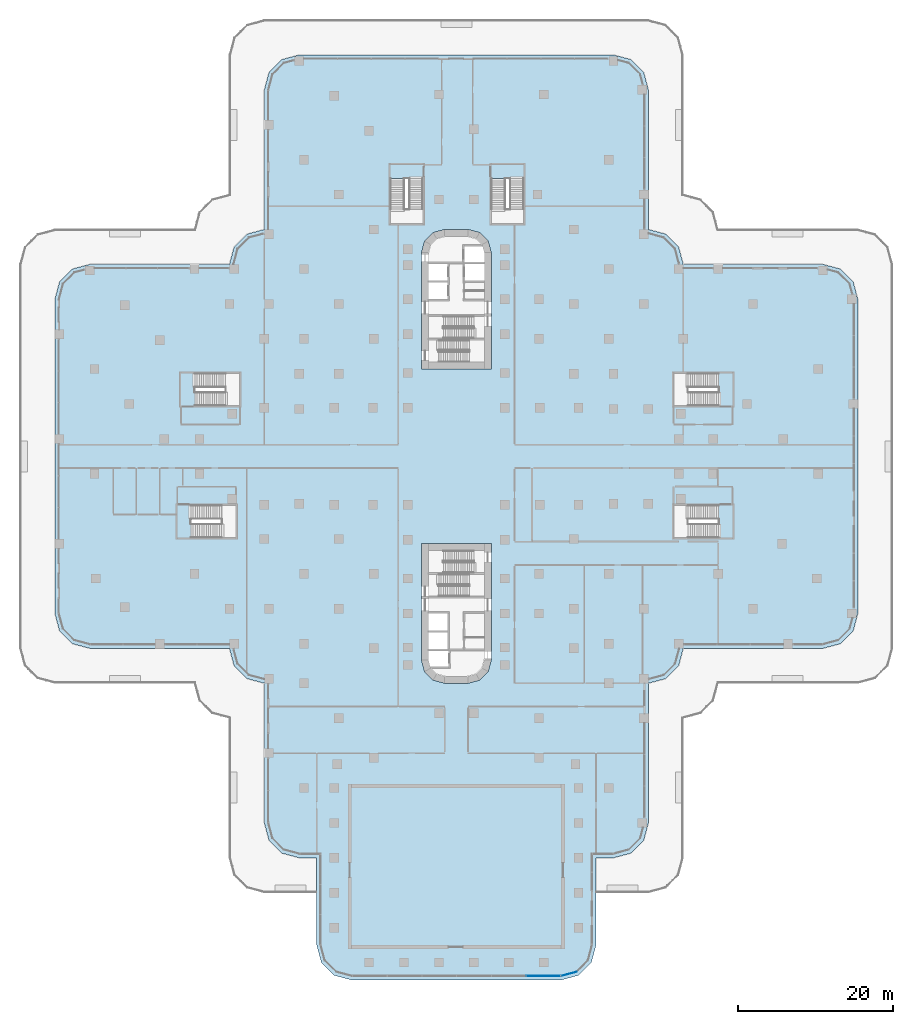
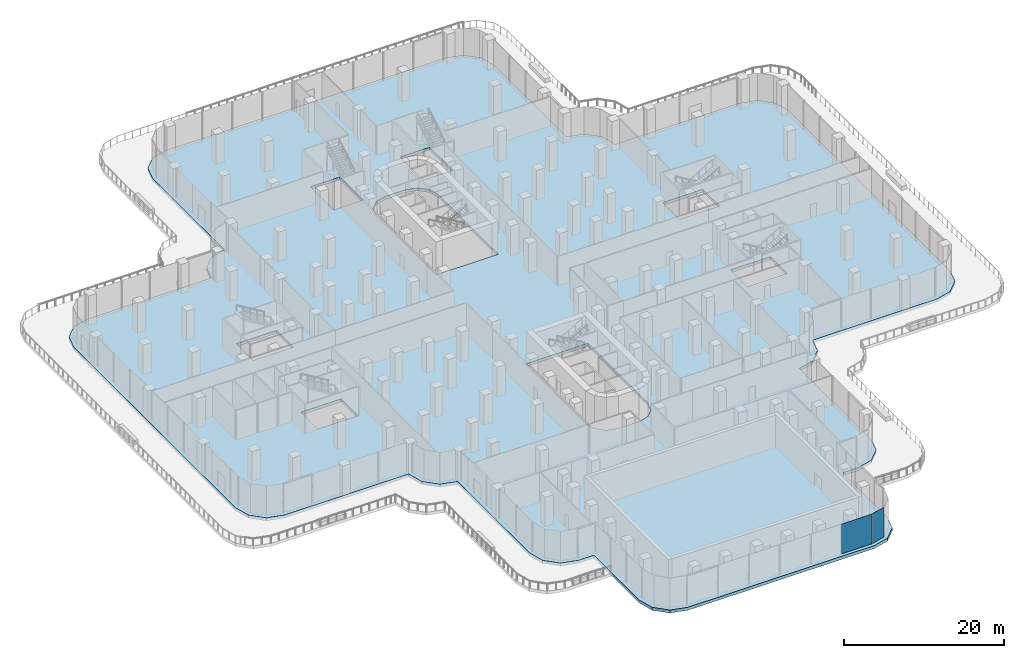
# One storey, part 11 of 30: 2 plates, 1 slab, 2 elements without a shape of their own.
"""IFC4 building model written with IfcOpenShell, lengths in metres."""

from ifc_helpers import new_model, si_unit, direction, frame, origin, place, context, subcontext, project, spatial, polyline, outline, extrude, source, transform, mapped, material, layer, layer_set, type_object, element, aggregate, save


model = new_model("IFC4")

# Units and contexts
model_context = context("Model", 3, precision=1e-05, world=origin(), true_north=direction((0.0, 1.0)))
body_context = subcontext(model_context, "Body", "Model", "MODEL_VIEW")
ifc_project = project(units=[si_unit("LENGTHUNIT", "METRE"), si_unit("AREAUNIT", "SQUARE_METRE"), si_unit("VOLUMEUNIT", "CUBIC_METRE"), si_unit("PLANEANGLEUNIT", "RADIAN"), si_unit("MASSUNIT", "GRAM", prefix="KILO")], contexts=[model_context])

# Site, building, storey
site_placement = place(None, origin())
site = spatial("IfcSite", under=ifc_project, at=site_placement, CompositionType="ELEMENT")
building_placement = place(site_placement, origin())
building = spatial("IfcBuilding", under=site, at=building_placement, Name="Zarbagh Exchange Tower", CompositionType="ELEMENT")
storey_placement = place(building_placement, frame((0.0, 0.0, 7.0)))
storey = spatial("IfcBuildingStorey", under=building, at=storey_placement, Name="L01", CompositionType="ELEMENT", Elevation=7.0)

# Slab
ifc_material_1 = material(Name="Concrete C50/60", Category="concrete")
ifc_layer_1 = layer(ifc_material_1, 0.449951171875)
ifc_layer_set_1 = layer_set([ifc_layer_1], Name="Flat slab 450 C50/60")
slab_type = type_object("IfcSlabType", Name="Flat slab 450 C50/60", PredefinedType="FLOOR", material=ifc_layer_set_1)
slab_placement = place(storey_placement, frame((0.0, 0.0, -0.449951171875)))
element("IfcSlab", 1, at=slab_placement, inside=storey, type_object=slab_type, Name="S4 flat slab", PredefinedType="FLOOR", context=body_context, shape_type="SweptSolid", body=[
    extrude(outline(polyline([(-15.75, -66.897216796875), (-17.397216796875, -65.25), (-18.0, -63.0), (-18.0, -51.75), (-20.25, -51.75), (-22.5, -51.147216796875), (-24.147216796875, -49.5), (-24.75, -47.25), (-24.75, -29.25), (-27.0, -28.647216796875), (-28.647216796875, -27.0), (-29.25, -24.75), (-47.25, -24.75), (-49.5, -24.147216796875), (-51.147216796875, -22.5), (-51.75, -20.25), (-51.75, 20.25), (-51.147216796875, 22.5), (-49.5, 24.147216796875), (-47.25, 24.75), (-29.25, 24.75), (-28.647216796875, 27.0), (-27.0, 28.647216796875), (-24.75, 29.25), (-24.75, 47.25), (-24.147216796875, 49.5), (-22.5, 51.147216796875), (-20.25, 51.75), (20.25, 51.75), (22.5, 51.147216796875), (24.147216796875, 49.5), (24.75, 47.25), (24.75, 29.25), (27.0, 28.647216796875), (28.647216796875, 27.0), (29.25, 24.75), (47.25, 24.75), (49.5, 24.147216796875), (51.147216796875, 22.5), (51.75, 20.25), (51.75, -20.25), (51.147216796875, -22.5), (49.5, -24.147216796875), (47.25, -24.75), (29.25, -24.75), (28.647216796875, -27.0), (27.0, -28.647216796875), (24.75, -29.25), (24.75, -47.25), (24.147216796875, -49.5), (22.5, -51.147216796875), (20.25, -51.75), (18.0, -51.75), (18.0, -63.0), (17.397216796875, -65.25), (15.75, -66.897216796875), (13.5, -67.5), (-13.5, -67.5), (-15.75, -66.897216796875)]), holes=[polyline([(4.5, 26.25), (4.09814453125, 27.75), (3.0, 28.84814453125), (1.5, 29.25), (-1.5, 29.25), (-3.0, 28.84814453125), (-4.09814453125, 27.75), (-4.5, 26.25), (-4.5, 11.25), (4.5, 11.25), (4.5, 26.25)]), polyline([(1.5, -29.25), (3.0, -28.84814453125), (4.09814453125, -27.75), (4.5, -26.25), (4.5, -11.25), (-4.5, -11.25), (-4.5, -26.25), (-4.09814453125, -27.75), (-3.0, -28.84814453125), (-1.5, -29.25), (1.5, -29.25)]), polyline([(-34.199951171875, -6.300048828125), (-34.199951171875, -10.5), (-28.39990234375, -10.5), (-28.39990234375, -6.300048828125), (-34.199951171875, -6.300048828125)]), polyline([(28.0, -10.5), (33.800048828125, -10.5), (33.800048828125, -6.300048828125), (28.0, -6.300048828125), (28.0, -10.5)]), polyline([(-27.89990234375, 10.699951171875), (-33.699951171875, 10.699951171875), (-33.699951171875, 6.5), (-27.89990234375, 6.5), (-27.89990234375, 10.699951171875)]), polyline([(33.800048828125, 6.5), (33.800048828125, 10.699951171875), (28.0, 10.699951171875), (28.0, 6.5), (33.800048828125, 6.5)]), polyline([(-4.300048828125, 30.0), (-4.300048828125, 35.800048828125), (-8.5, 35.800048828125), (-8.5, 30.0), (-4.300048828125, 30.0)]), polyline([(8.699951171875, 30.0), (8.699951171875, 35.800048828125), (4.5, 35.800048828125), (4.5, 30.0), (8.699951171875, 30.0)])]), origin(), (0.0, 0.0, 1.0), 0.449951171875),
])

# Curtain wall, plate
ifc_material_2 = material(Name="Anodised aluminium frame and glazing", Category="aluminium")
curtain_wall_type = type_object("IfcCurtainWallType", Name="CWD Exchange hall wall glazing", PredefinedType="NOTDEFINED", material=ifc_material_2)
curtain_wall_1_placement = place(storey_placement, origin())
curtain_wall_1 = element("IfcCurtainWall", 2, at=curtain_wall_1_placement, inside=storey, type_object=curtain_wall_type, Name="CWD01 curtain wall", PredefinedType="NOTDEFINED")
ifc_material_3 = material(Name="Low-e double glazed unit, 6+12+6 mm")
ifc_layer_2 = layer(ifc_material_3, 0.035888671875)
ifc_layer_set_2 = layer_set([ifc_layer_2], Name="PAD Glazing panel, Low-e double glazed unit, 6+12+6 mm")
plate_type = type_object("IfcPlateType", Name="PAD Glazing panel, Low-e double glazed unit, 6+12+6 mm", PredefinedType="CURTAIN_PANEL", material=ifc_layer_set_2)
shared_shape_1 = source(origin(), body_context, "Body", "SweptSolid", [
    extrude(outline(polyline([(0.0, -0.01806640625), (2.049560546875, -0.01806640625), (2.049560546875, 0.01806640625), (0.0, 0.01806640625), (0.0, -0.01806640625)])), origin(), (0.0, 0.0, 1.0), 4.550048828125),
])
placement = place(storey_placement, origin())
plate_1 = element("IfcPlate", 3, at=placement, type_object=plate_type, Name="CWD01 glazing panel 1.1", PredefinedType="CURTAIN_PANEL", context=body_context, shape_type="MappedRepresentation", body=[
    mapped(shared_shape_1, transform((13.511474609375, -66.979248046875, 0.0), x_axis=(0.965924289636, 0.258824779902, 0.0), y_axis=(-0.258824779902, 0.965924289636, 0.0), z_axis=(0.0, 0.0, 1.0))),
])
aggregate(curtain_wall_1, [plate_1])

curtain_wall_2_placement = place(storey_placement, origin())
curtain_wall_2 = element("IfcCurtainWall", 4, at=curtain_wall_2_placement, inside=storey, type_object=curtain_wall_type, Name="CWD09 curtain wall", PredefinedType="NOTDEFINED")
shared_shape_2 = source(origin(), body_context, "Body", "SweptSolid", [
    extrude(outline(polyline([(0.0, -0.01806640625), (4.39794921875, -0.01806640625), (4.39794921875, 0.01806640625), (0.0, 0.01806640625), (0.0, -0.01806640625)])), origin(), (0.0, 0.0, 1.0), 4.550048828125),
])
plate_2 = element("IfcPlate", 5, at=placement, type_object=plate_type, Name="CWD09 glazing panel 1.6", PredefinedType="CURTAIN_PANEL", context=body_context, shape_type="MappedRepresentation", body=[
    mapped(shared_shape_2, transform((9.0361328125, -67.0, 0.0), x_axis=(1.0, 0.0, 0.0), y_axis=(0.0, 1.0, 0.0), z_axis=(0.0, 0.0, 1.0))),
])
aggregate(curtain_wall_2, [plate_2])

save(model, "model.ifc")
